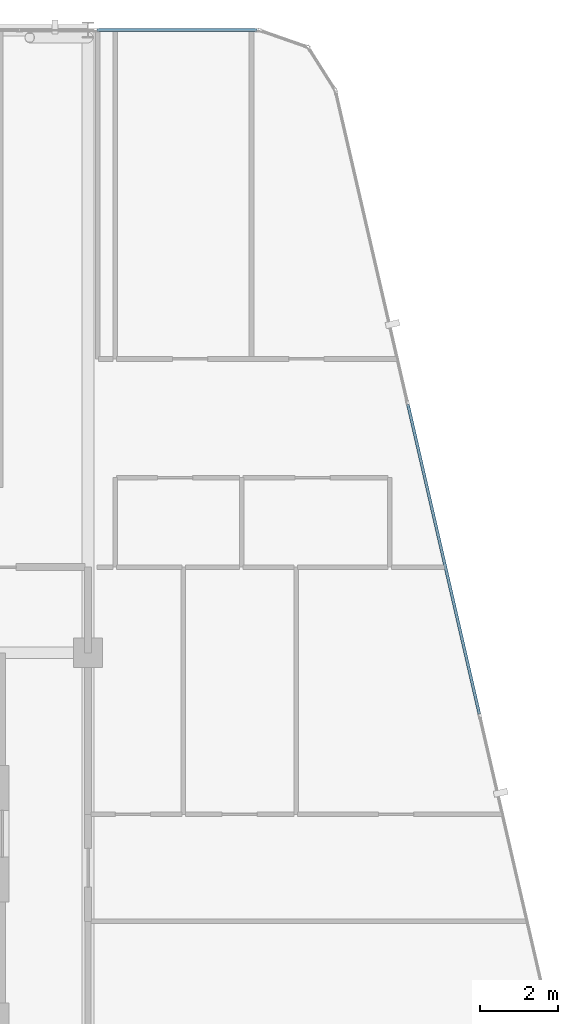
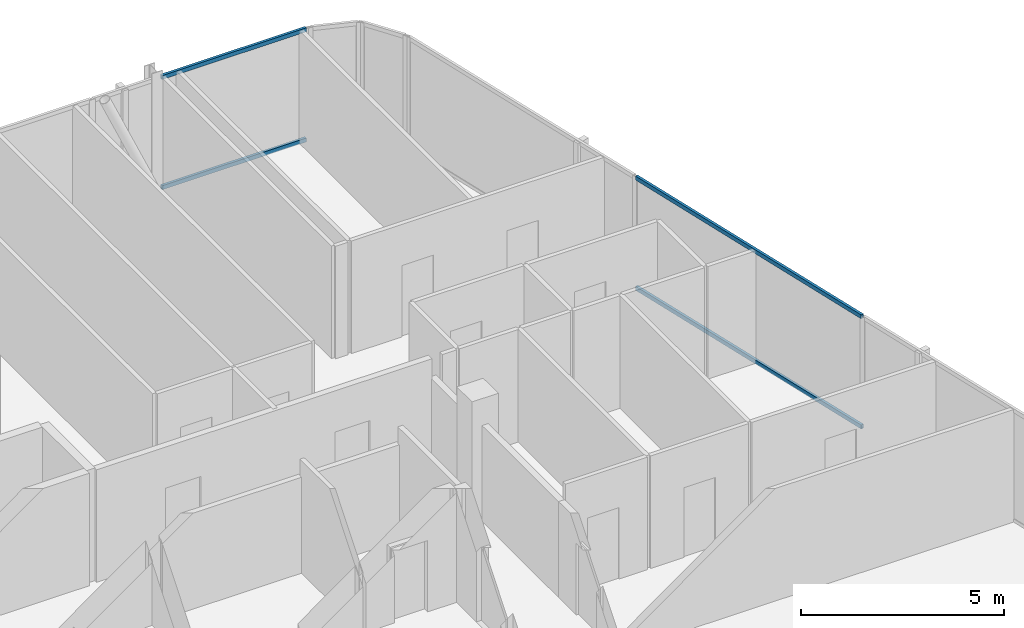
# One storey, part 18 of 27: 4 members, 2 elements without a shape of their own.
"""IFC4 building model written with IfcOpenShell, lengths in metres."""

from ifc_helpers import new_model, si_unit, direction, frame, origin, origin_2d, place, context, subcontext, project, spatial, hollow_rectangle, extrude, material, layer, layer_set, material_profile, profile_set, type_object, element, aggregate, save


model = new_model("IFC4")

# Units and contexts
model_context = context("Model", 3, precision=1e-05, world=origin(), true_north=direction((0.0, 1.0)))
body_context = subcontext(model_context, "Body", "Model", "MODEL_VIEW")
ifc_project = project(units=[si_unit("LENGTHUNIT", "METRE"), si_unit("AREAUNIT", "SQUARE_METRE"), si_unit("VOLUMEUNIT", "CUBIC_METRE"), si_unit("PLANEANGLEUNIT", "RADIAN"), si_unit("MASSUNIT", "GRAM", prefix="KILO")], contexts=[model_context])

# Site, building, storey
site_placement = place(None, origin())
site = spatial("IfcSite", under=ifc_project, at=site_placement, CompositionType="ELEMENT")
building_placement = place(site_placement, origin())
building = spatial("IfcBuilding", under=site, at=building_placement, Name="Keshet Zoharim Tower", CompositionType="ELEMENT")
storey_placement = place(building_placement, frame((0.0, 0.0, 273.199951171875)))
storey = spatial("IfcBuildingStorey", under=building, at=storey_placement, Name="L68", CompositionType="ELEMENT", Elevation=273.199951171875)

# Curtain wall, members
ifc_material = material(Name="Aluminium 6063-T6", Category="aluminium")
ifc_layer = layer(ifc_material, 0.260009765625)
ifc_layer_set = layer_set([ifc_layer], Name="Aluminium 6063-T6")
curtain_wall_type = type_object("IfcCurtainWallType", Name="CW-SYS-06", PredefinedType="NOTDEFINED", material=ifc_layer_set)
curtain_wall_1_placement = place(storey_placement, origin())
curtain_wall_1 = element("IfcCurtainWall", 1, at=curtain_wall_1_placement, inside=storey, type_object=curtain_wall_type, Name="L68 Unitised Curtain Wall 06 Part 5", PredefinedType="NOTDEFINED")
ifc_material_profile = material_profile(ifc_material, hollow_rectangle(XDim=0.074951171875, YDim=0.1201171875, WallThickness=0.00390625, at=origin_2d()), Name="TRN-75x120")
ifc_profile_set = profile_set([ifc_material_profile], Name="Aluminium 6063-T6")
member_type = type_object("IfcMemberType", Name="CWT-T12", PredefinedType="USERDEFINED", material=ifc_profile_set)
member_1_placement = place(storey_placement, frame((33.224853515625, 53.89990234375, 0.03515625), z_axis=(1.0, 0.0, 0.0), x_axis=(0.0, 1.0, 0.0)))
member_1 = element("IfcMember", 2, at=member_1_placement, type_object=member_type, Name="CW-06 transom 1.1", ObjectType="TRANSOM", PredefinedType="USERDEFINED", context=body_context, shape_type="SweptSolid", body=[
    extrude(hollow_rectangle(XDim=0.074951171875, YDim=0.1201171875, WallThickness=0.00390625, at=origin_2d()), origin(), (0.0, 0.0, 1.0), 4.1142578125),
])
member_2_placement = place(storey_placement, frame((33.224853515625, 53.89990234375, 3.35498046875), z_axis=(1.0, 0.0, 0.0), x_axis=(0.0, 1.0, 0.0)))
member_2 = element("IfcMember", 3, at=member_2_placement, type_object=member_type, Name="CW-06 transom 1.2", ObjectType="TRANSOM", PredefinedType="USERDEFINED", context=body_context, shape_type="SweptSolid", body=[
    extrude(hollow_rectangle(XDim=0.074951171875, YDim=0.1201171875, WallThickness=0.00390625, at=origin_2d()), origin(), (0.0, 0.0, 1.0), 4.1142578125),
])
aggregate(curtain_wall_1, [member_1, member_2])

curtain_wall_2_placement = place(storey_placement, origin())
curtain_wall_2 = element("IfcCurtainWall", 4, at=curtain_wall_2_placement, inside=storey, type_object=curtain_wall_type, Name="L68 Unitised Curtain Wall 09", PredefinedType="NOTDEFINED")
member_3_placement = place(storey_placement, frame((41.218505859375, 44.28662109375, 0.03515625), z_axis=(0.224826771459, -0.974398749402, 0.0), x_axis=(0.974398749402, 0.224826771459, 0.0)))
member_3 = element("IfcMember", 5, at=member_3_placement, type_object=member_type, Name="CW-06 transom 2.1", ObjectType="TRANSOM", PredefinedType="USERDEFINED", context=body_context, shape_type="SweptSolid", body=[
    extrude(hollow_rectangle(XDim=0.074951171875, YDim=0.1201171875, WallThickness=0.00390625, at=origin_2d()), origin(), (0.0, 0.0, 1.0), 8.17041015625),
])
member_4_placement = place(storey_placement, frame((41.218505859375, 44.28662109375, 3.35498046875), z_axis=(0.224826771459, -0.974398749402, 0.0), x_axis=(0.974398749402, 0.224826771459, 0.0)))
member_4 = element("IfcMember", 6, at=member_4_placement, type_object=member_type, Name="CW-06 transom 2.2", ObjectType="TRANSOM", PredefinedType="USERDEFINED", context=body_context, shape_type="SweptSolid", body=[
    extrude(hollow_rectangle(XDim=0.074951171875, YDim=0.1201171875, WallThickness=0.00390625, at=origin_2d()), origin(), (0.0, 0.0, 1.0), 8.17041015625),
])
aggregate(curtain_wall_2, [member_3, member_4])

save(model, "model.ifc")
